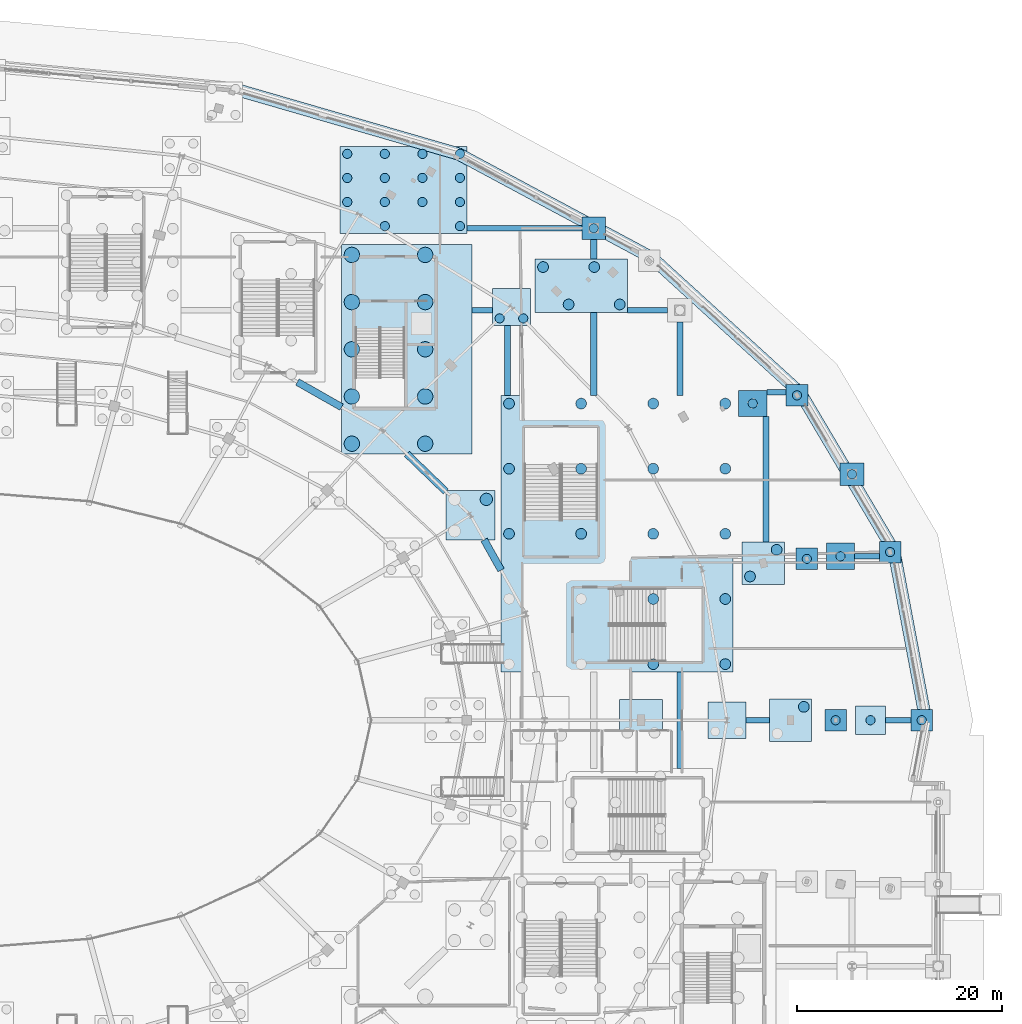
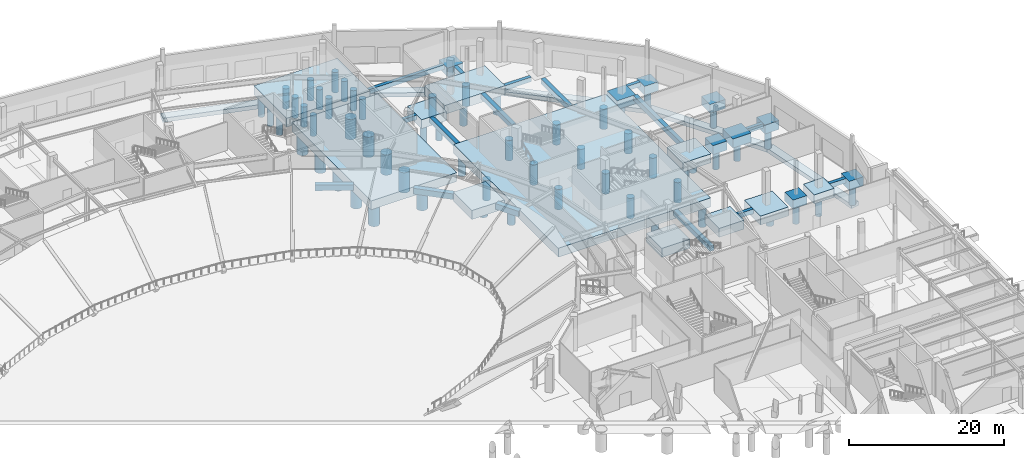
# One storey, part 8 of 93: 60 piles, 41 footings.
"""IFC4 building model written with IfcOpenShell, lengths in metres."""

from ifc_helpers import new_model, si_unit, direction, frame, origin, origin_2d, place, context, subcontext, project, spatial, polyline, rectangle, circle, outline, extrude, material, material_profile, profile_set, type_object, element, save


model = new_model("IFC4")

# Units and contexts
model_context = context("Model", 3, precision=1e-05, world=origin(), true_north=direction((0.0, 1.0)))
body_context = subcontext(model_context, "Body", "Model", "MODEL_VIEW")
ifc_project = project(units=[si_unit("LENGTHUNIT", "METRE"), si_unit("AREAUNIT", "SQUARE_METRE"), si_unit("VOLUMEUNIT", "CUBIC_METRE"), si_unit("PLANEANGLEUNIT", "RADIAN"), si_unit("MASSUNIT", "GRAM", prefix="KILO")], contexts=[model_context])

# Site, building, storey
site_placement = place(None, origin())
site = spatial("IfcSite", under=ifc_project, at=site_placement, CompositionType="ELEMENT")
building_placement = place(site_placement, origin())
building = spatial("IfcBuilding", under=site, at=building_placement, Name="Kalgoora Escarpment Arena", CompositionType="ELEMENT")
storey_placement = place(building_placement, origin())
storey = spatial("IfcBuildingStorey", under=building, at=storey_placement, Name="L00", CompositionType="ELEMENT", Elevation=0.0)

# Footings
ifc_material_1 = material(Name="Concrete N40 (fc' 40 MPa)", Category="concrete")
ifc_material_profile_1 = material_profile(ifc_material_1, rectangle(XDim=0.5, YDim=0.699951171875, at=origin_2d()))
ifc_profile_set_1 = profile_set([ifc_material_profile_1], Name="Concrete N40 (fc' 40 MPa)")
footing_type_1 = type_object("IfcFootingType", Name="FTG-GB700x500", PredefinedType="FOOTING_BEAM", material=ifc_profile_set_1)
footing_1_placement = place(storey_placement, frame((166.050048828125, 64.0, -0.35009765625), z_axis=(1.0, 0.0, 0.0), x_axis=(0.0, 1.0, 0.0)))
element("IfcFooting", 1, at=footing_1_placement, inside=storey, type_object=footing_type_1, Name="Ground tie beam GB-102", PredefinedType="FOOTING_BEAM", context=body_context, shape_type="SweptSolid", body=[
    extrude(rectangle(XDim=0.5, YDim=0.699951171875, at=origin_2d()), origin(), (0.0, 0.0, 1.0), 2.280029296875),
])
footing_2_placement = place(storey_placement, frame((179.679931640625, 64.0, -0.35009765625), z_axis=(1.0, 0.0, 0.0), x_axis=(0.0, 1.0, 0.0)))
element("IfcFooting", 2, at=footing_2_placement, inside=storey, type_object=footing_type_1, Name="Ground tie beam GB-103", PredefinedType="FOOTING_BEAM", context=body_context, shape_type="SweptSolid", body=[
    extrude(rectangle(XDim=0.5, YDim=0.699951171875, at=origin_2d()), origin(), (0.0, 0.0, 1.0), 2.469970703125),
])
footing_3_placement = place(storey_placement, frame((176.639892578125, 80.0, -0.35009765625), z_axis=(1.0, 0.0, 0.0), x_axis=(0.0, 1.0, 0.0)))
element("IfcFooting", 3, at=footing_3_placement, inside=storey, type_object=footing_type_1, Name="Ground tie beam GB-108", PredefinedType="FOOTING_BEAM", context=body_context, shape_type="SweptSolid", body=[
    extrude(rectangle(XDim=0.5, YDim=0.699951171875, at=origin_2d()), origin(), (0.0, 0.0, 1.0), 2.420166015625),
])
footing_4_placement = place(storey_placement, frame((168.110107421875, 96.0, -0.35009765625), z_axis=(1.0, 0.0, 0.0), x_axis=(0.0, 1.0, 0.0)))
element("IfcFooting", 4, at=footing_4_placement, inside=storey, type_object=footing_type_1, Name="Ground tie beam GB-113", PredefinedType="FOOTING_BEAM", context=body_context, shape_type="SweptSolid", body=[
    extrude(rectangle(XDim=0.5, YDim=0.699951171875, at=origin_2d()), origin(), (0.0, 0.0, 1.0), 1.869873046875),
])
footing_5_placement = place(storey_placement, frame((139.330078125, 104.0, -0.35009765625), z_axis=(1.0, 0.0, 0.0), x_axis=(0.0, 1.0, 0.0)))
element("IfcFooting", 5, at=footing_5_placement, inside=storey, type_object=footing_type_1, Name="Ground tie beam GB-118", PredefinedType="FOOTING_BEAM", context=body_context, shape_type="SweptSolid", body=[
    extrude(rectangle(XDim=0.5, YDim=0.699951171875, at=origin_2d()), origin(), (0.0, 0.0, 1.0), 1.989990234375),
])
footing_6_placement = place(storey_placement, frame((154.510009765625, 104.0, -0.35009765625), z_axis=(1.0, 0.0, 0.0), x_axis=(0.0, 1.0, 0.0)))
element("IfcFooting", 6, at=footing_6_placement, inside=storey, type_object=footing_type_1, Name="Ground tie beam GB-119", PredefinedType="FOOTING_BEAM", context=body_context, shape_type="SweptSolid", body=[
    extrude(rectangle(XDim=0.5, YDim=0.699951171875, at=origin_2d()), origin(), (0.0, 0.0, 1.0), 3.89990234375),
])
footing_7_placement = place(storey_placement, frame((138.85009765625, 112.0, -0.35009765625), z_axis=(1.0, 0.0, 0.0), x_axis=(0.0, 1.0, 0.0)))
element("IfcFooting", 7, at=footing_7_placement, inside=storey, type_object=footing_type_1, Name="Ground tie beam GB-123", PredefinedType="FOOTING_BEAM", context=body_context, shape_type="SweptSolid", body=[
    extrude(rectangle(XDim=0.5, YDim=0.699951171875, at=origin_2d()), origin(), (0.0, 0.0, 1.0), 11.199951171875),
])
ifc_material_2 = material(Name="Concrete N40 (fc' 40 MPa)", Category="concrete")
ifc_material_profile_2 = material_profile(ifc_material_2, rectangle(XDim=0.60009765625, YDim=0.800048828125, at=origin_2d()))
ifc_profile_set_2 = profile_set([ifc_material_profile_2], Name="Concrete N40 (fc' 40 MPa)")
footing_type_2 = type_object("IfcFootingType", Name="FTG-GB800x600", PredefinedType="FOOTING_BEAM", material=ifc_profile_set_2)
footing_8_placement = place(storey_placement, frame((142.800048828125, 95.669921875, -0.39990234375), z_axis=(0.0, 1.0, 0.0), x_axis=(-1.0, 0.0, 0.0)))
element("IfcFooting", 8, at=footing_8_placement, inside=storey, type_object=footing_type_2, Name="Ground tie beam GB-048", PredefinedType="FOOTING_BEAM", context=body_context, shape_type="SweptSolid", body=[
    extrude(rectangle(XDim=0.60009765625, YDim=0.800048828125, at=origin_2d()), origin(), (0.0, 0.0, 1.0), 6.840087890625),
])
footing_9_placement = place(storey_placement, frame((151.199951171875, 95.669921875, -0.39990234375), z_axis=(0.0, 1.0, 0.0), x_axis=(-1.0, 0.0, 0.0)))
element("IfcFooting", 9, at=footing_9_placement, inside=storey, type_object=footing_type_2, Name="Ground tie beam GB-053", PredefinedType="FOOTING_BEAM", context=body_context, shape_type="SweptSolid", body=[
    extrude(rectangle(XDim=0.60009765625, YDim=0.800048828125, at=origin_2d()), origin(), (0.0, 0.0, 1.0), 8.1201171875),
])
footing_10_placement = place(storey_placement, frame((151.199951171875, 108.989990234375, -0.39990234375), z_axis=(0.0, 1.0, 0.0), x_axis=(-1.0, 0.0, 0.0)))
element("IfcFooting", 10, at=footing_10_placement, inside=storey, type_object=footing_type_2, Name="Ground tie beam GB-054", PredefinedType="FOOTING_BEAM", context=body_context, shape_type="SweptSolid", body=[
    extrude(rectangle(XDim=0.60009765625, YDim=0.800048828125, at=origin_2d()), origin(), (0.0, 0.0, 1.0), 1.909912109375),
])
footing_11_placement = place(storey_placement, frame((159.60009765625, 59.300048828125, -0.39990234375), z_axis=(0.0, 1.0, 0.0), x_axis=(-1.0, 0.0, 0.0)))
element("IfcFooting", 11, at=footing_11_placement, inside=storey, type_object=footing_type_2, Name="Ground tie beam GB-057", PredefinedType="FOOTING_BEAM", context=body_context, shape_type="SweptSolid", body=[
    extrude(rectangle(XDim=0.60009765625, YDim=0.800048828125, at=origin_2d()), origin(), (0.0, 0.0, 1.0), 9.39990234375),
])
footing_12_placement = place(storey_placement, frame((159.60009765625, 95.669921875, -0.39990234375), z_axis=(0.0, 1.0, 0.0), x_axis=(-1.0, 0.0, 0.0)))
element("IfcFooting", 12, at=footing_12_placement, inside=storey, type_object=footing_type_2, Name="Ground tie beam GB-058", PredefinedType="FOOTING_BEAM", context=body_context, shape_type="SweptSolid", body=[
    extrude(rectangle(XDim=0.60009765625, YDim=0.800048828125, at=origin_2d()), origin(), (0.0, 0.0, 1.0), 7.190185546875),
])
footing_13_placement = place(storey_placement, frame((168.0, 81.39990234375, -0.39990234375), z_axis=(0.0, 1.0, 0.0), x_axis=(-1.0, 0.0, 0.0)))
element("IfcFooting", 13, at=footing_13_placement, inside=storey, type_object=footing_type_2, Name="Ground tie beam GB-061", PredefinedType="FOOTING_BEAM", context=body_context, shape_type="SweptSolid", body=[
    extrude(rectangle(XDim=0.60009765625, YDim=0.800048828125, at=origin_2d()), origin(), (0.0, 0.0, 1.0), 12.210205078125),
])
ifc_material_3 = material(Name="Concrete N40 (fc' 40 MPa)", Category="concrete")
ifc_material_profile_3 = material_profile(ifc_material_3, rectangle(XDim=0.699951171875, YDim=0.89990234375, at=origin_2d()))
ifc_profile_set_3 = profile_set([ifc_material_profile_3], Name="Concrete N40 (fc' 40 MPa)")
footing_type_3 = type_object("IfcFootingType", Name="FTG-GB900x700", PredefinedType="FOOTING_BEAM", material=ifc_profile_set_3)
footing_14_placement = place(storey_placement, frame((142.159912109375, 78.644775390625, -0.449951171875), z_axis=(-0.488010427247, 0.872837798733, 0.0), x_axis=(-0.872837798733, -0.488010427247, 0.0)))
element("IfcFooting", 14, at=footing_14_placement, inside=storey, type_object=footing_type_3, Name="Ground tie beam GB-002", PredefinedType="FOOTING_BEAM", context=body_context, shape_type="SweptSolid", body=[
    extrude(rectangle(XDim=0.699951171875, YDim=0.89990234375, at=origin_2d()), origin(), (0.0, 0.0, 1.0), 3.385986328125),
])
footing_15_placement = place(storey_placement, frame((136.77001953125, 86.3125, -0.449951171875), z_axis=(-0.719479526, 0.694513651174, 0.0), x_axis=(-0.694513651174, -0.719479526, 0.0)))
element("IfcFooting", 15, at=footing_15_placement, inside=storey, type_object=footing_type_3, Name="Ground tie beam GB-003", PredefinedType="FOOTING_BEAM", context=body_context, shape_type="SweptSolid", body=[
    extrude(rectangle(XDim=0.699951171875, YDim=0.89990234375, at=origin_2d()), origin(), (0.0, 0.0, 1.0), 5.28076171875),
])
footing_16_placement = place(storey_placement, frame((126.60009765625, 94.548583984375, -0.449951171875), z_axis=(-0.86938256602, 0.494139609726, 0.0), x_axis=(-0.494139609726, -0.86938256602, 0.0)))
element("IfcFooting", 16, at=footing_16_placement, inside=storey, type_object=footing_type_3, Name="Ground tie beam GB-004", PredefinedType="FOOTING_BEAM", context=body_context, shape_type="SweptSolid", body=[
    extrude(rectangle(XDim=0.699951171875, YDim=0.89990234375, at=origin_2d()), origin(), (0.0, 0.0, 1.0), 4.9609375),
])
ifc_material_4 = material(Name="Concrete N40 (fc' 40 MPa)", Category="concrete")
footing_type_4 = type_object("IfcFootingType", Name="FTG-PC-1240x845", PredefinedType="PILE_CAP", material=ifc_material_4)
footing_17_placement = place(storey_placement, frame((132.64990234375, 115.735107421875, -1.39990234375), z_axis=(0.0, 0.0, 1.0), x_axis=(1.0, 0.0, 0.0)))
element("IfcFooting", 17, at=footing_17_placement, inside=storey, type_object=footing_type_4, Name="Pile cap FND-COL-RCONC2-R05", PredefinedType="PILE_CAP", context=body_context, shape_type="SweptSolid", body=[
    extrude(rectangle(XDim=12.39990234375, YDim=8.449951171875, at=origin_2d()), origin(), (0.0, 0.0, 1.0), 1.39990234375),
])
ifc_material_5 = material(Name="Concrete N40 (fc' 40 MPa)", Category="concrete")
footing_type_5 = type_object("IfcFootingType", Name="FTG-PC-1273x2042", PredefinedType="PILE_CAP", material=ifc_material_5)
footing_18_placement = place(storey_placement, frame((132.965087890625, 100.18994140625, -1.39990234375), z_axis=(0.0, 0.0, 1.0), x_axis=(1.0, 0.0, 0.0)))
element("IfcFooting", 18, at=footing_18_placement, inside=storey, type_object=footing_type_5, Name="Pile cap FND-RAFT-C4", PredefinedType="PILE_CAP", context=body_context, shape_type="SweptSolid", body=[
    extrude(rectangle(XDim=12.72998046875, YDim=20.419921875, at=origin_2d()), origin(), (0.0, 0.0, 1.0), 1.39990234375),
])
ifc_material_6 = material(Name="Concrete N40 (fc' 40 MPa)", Category="concrete")
footing_type_6 = type_object("IfcFootingType", Name="FTG-PC-210x210", PredefinedType="PILE_CAP", material=ifc_material_6)
for number, where, z_axis, x_axis, name in (
    (19, (183.199951171875, 64.0, -1.39990234375), (0.0, 0.0, 1.0), (1.0, 0.0, 0.0), "Pile cap FND-PIL-022"),
    (20, (180.110107421875, 80.409912109375, -1.39990234375), (0.0, 0.0, 1.0), (1.0, 0.0, 0.0), "Pile cap FND-PIL-023"),
    (21, (174.800048828125, 64.0, -1.39990234375), (0.0, 0.0, 1.0), (1.0, 0.0, 0.0), "Pile cap FND-PIL-046"),
    (22, (171.989990234375, 79.739990234375, -1.39990234375), (0.0, 0.0, 1.0), (1.0, 0.0, 0.0), "Pile cap FND-PIL-047"),
):
    element("IfcFooting", number, at=place(storey_placement, frame(where, z_axis=z_axis, x_axis=x_axis)), inside=storey, type_object=footing_type_6, Name=name, PredefinedType="PILE_CAP", context=body_context, shape_type="SweptSolid", body=[
        extrude(rectangle(XDim=2.10009765625, YDim=2.10009765625, at=origin_2d()), origin(), (0.0, 0.0, 1.0), 1.39990234375),
    ])
ifc_material_7 = material(Name="Concrete N40 (fc' 40 MPa)", Category="concrete")
footing_type_7 = type_object("IfcFootingType", Name="FTG-PC-211x210", PredefinedType="PILE_CAP", material=ifc_material_7)
footing_19_placement = place(storey_placement, frame((171.034912109375, 95.699951171875, -1.39990234375), z_axis=(0.0, 0.0, 1.0), x_axis=(1.0, 0.0, 0.0)))
element("IfcFooting", 23, at=footing_19_placement, inside=storey, type_object=footing_type_7, Name="Pile cap FND-PIL-024", PredefinedType="PILE_CAP", context=body_context, shape_type="SweptSolid", body=[
    extrude(rectangle(XDim=2.110107421875, YDim=2.10009765625, at=origin_2d()), origin(), (0.0, 0.0, 1.0), 1.39990234375),
])
ifc_material_8 = material(Name="Concrete N40 (fc' 40 MPa)", Category="concrete")
footing_type_8 = type_object("IfcFootingType", Name="FTG-PC-2265x2697", PredefinedType="PILE_CAP", material=ifc_material_8)
footing_20_placement = place(storey_placement, frame((153.485107421875, 82.18505859375, -1.39990234375), z_axis=(0.0, 0.0, 1.0), x_axis=(1.0, 0.0, 0.0)))
element("IfcFooting", 24, at=footing_20_placement, inside=storey, type_object=footing_type_8, Name="Pile cap FND-ST-ST21", PredefinedType="PILE_CAP", context=body_context, shape_type="SweptSolid", body=[
    extrude(rectangle(XDim=22.64990234375, YDim=26.969970703125, at=origin_2d()), origin(), (0.0, 0.0, 1.0), 1.39990234375),
])
ifc_material_9 = material(Name="Concrete N40 (fc' 40 MPa)", Category="concrete")
footing_type_9 = type_object("IfcFootingType", Name="FTG-PC-230x220", PredefinedType="PILE_CAP", material=ifc_material_9)
for number, where, z_axis, x_axis, name in (
    (25, (151.199951171875, 112.0, -1.39990234375), (0.0, 0.0, 1.0), (1.0, 0.0, 0.0), "Pile cap FND-COL-G19-Q"),
    (26, (176.39990234375, 88.0, -1.39990234375), (0.0, 0.0, 1.0), (1.0, 0.0, 0.0), "Pile cap FND-COL-G22-M"),
):
    element("IfcFooting", number, at=place(storey_placement, frame(where, z_axis=z_axis, x_axis=x_axis)), inside=storey, type_object=footing_type_9, Name=name, PredefinedType="PILE_CAP", context=body_context, shape_type="SweptSolid", body=[
        extrude(rectangle(XDim=2.300048828125, YDim=2.199951171875, at=origin_2d()), origin(), (0.0, 0.0, 1.0), 1.39990234375),
    ])
ifc_material_10 = material(Name="Concrete N40 (fc' 40 MPa)", Category="concrete")
footing_type_10 = type_object("IfcFootingType", Name="FTG-PC-272x259", PredefinedType="PILE_CAP", material=ifc_material_10)
footing_21_placement = place(storey_placement, frame((175.280029296875, 79.9951171875, -1.39990234375), z_axis=(0.0, 0.0, 1.0), x_axis=(1.0, 0.0, 0.0)))
element("IfcFooting", 27, at=footing_21_placement, inside=storey, type_object=footing_type_10, Name="Pile cap FND-COL-RBASE2-R02", PredefinedType="PILE_CAP", context=body_context, shape_type="SweptSolid", body=[
    extrude(rectangle(XDim=2.719970703125, YDim=2.590087890625, at=origin_2d()), origin(), (0.0, 0.0, 1.0), 1.39990234375),
])
ifc_material_11 = material(Name="Concrete N40 (fc' 40 MPa)", Category="concrete")
footing_type_11 = type_object("IfcFootingType", Name="FTG-PC-280x258", PredefinedType="PILE_CAP", material=ifc_material_11)
footing_22_placement = place(storey_placement, frame((166.7099609375, 94.89990234375, -1.39990234375), z_axis=(0.0, 0.0, 1.0), x_axis=(1.0, 0.0, 0.0)))
element("IfcFooting", 28, at=footing_22_placement, inside=storey, type_object=footing_type_11, Name="Pile cap FND-COL-RBASE2-R03", PredefinedType="PILE_CAP", context=body_context, shape_type="SweptSolid", body=[
    extrude(rectangle(XDim=2.800048828125, YDim=2.580078125, at=origin_2d()), origin(), (0.0, 0.0, 1.0), 1.39990234375),
])
ifc_material_12 = material(Name="Concrete N40 (fc' 40 MPa)", Category="concrete")
footing_type_12 = type_object("IfcFootingType", Name="FTG-PC-296x282", PredefinedType="PILE_CAP", material=ifc_material_12)
footing_23_placement = place(storey_placement, frame((178.199951171875, 64.0, -1.39990234375), z_axis=(0.0, 0.0, 1.0), x_axis=(1.0, 0.0, 0.0)))
element("IfcFooting", 29, at=footing_23_placement, inside=storey, type_object=footing_type_12, Name="Pile cap FND-COL-RBASE2-R01", PredefinedType="PILE_CAP", context=body_context, shape_type="SweptSolid", body=[
    extrude(rectangle(XDim=2.9599609375, YDim=2.820068359375, at=origin_2d()), origin(), (0.0, 0.0, 1.0), 1.39990234375),
])
ifc_material_13 = material(Name="Concrete N40 (fc' 40 MPa)", Category="concrete")
footing_type_13 = type_object("IfcFootingType", Name="FTG-PC-370x360", PredefinedType="PILE_CAP", material=ifc_material_13)
for number, where, z_axis, x_axis, name in (
    (30, (164.199951171875, 64.0, -1.39990234375), (0.0, 0.0, 1.0), (1.0, 0.0, 0.0), "Pile cap FND-COL-RCONC2-R01"),
    (31, (143.169921875, 104.31005859375, -1.39990234375), (0.0, 0.0, 1.0), (1.0, 0.0, 0.0), "Pile cap FND-COL-RCONC2-R04"),
):
    element("IfcFooting", number, at=place(storey_placement, frame(where, z_axis=z_axis, x_axis=x_axis)), inside=storey, type_object=footing_type_13, Name=name, PredefinedType="PILE_CAP", context=body_context, shape_type="SweptSolid", body=[
        extrude(rectangle(XDim=3.699951171875, YDim=3.60009765625, at=origin_2d()), origin(), (0.0, 0.0, 1.0), 1.39990234375),
    ])
ifc_material_14 = material(Name="Concrete N40 (fc' 40 MPa)", Category="concrete")
footing_type_14 = type_object("IfcFootingType", Name="FTG-PC-414x416", PredefinedType="PILE_CAP", material=ifc_material_14)
footing_24_placement = place(storey_placement, frame((170.39990234375, 64.0, -1.39990234375), z_axis=(0.0, 0.0, 1.0), x_axis=(1.0, 0.0, 0.0)))
element("IfcFooting", 32, at=footing_24_placement, inside=storey, type_object=footing_type_14, Name="Pile cap FND-COL-RBASE1-R01", PredefinedType="PILE_CAP", context=body_context, shape_type="SweptSolid", body=[
    extrude(rectangle(XDim=4.139892578125, YDim=4.159912109375, at=origin_2d()), origin(), (0.0, 0.0, 1.0), 1.39990234375),
])
ifc_material_15 = material(Name="Concrete N40 (fc' 40 MPa)", Category="concrete")
footing_type_15 = type_object("IfcFootingType", Name="FTG-PC-415x415", PredefinedType="PILE_CAP", material=ifc_material_15)
footing_25_placement = place(storey_placement, frame((167.7451171875, 79.324951171875, -1.39990234375), z_axis=(0.0, 0.0, 1.0), x_axis=(1.0, 0.0, 0.0)))
element("IfcFooting", 33, at=footing_25_placement, inside=storey, type_object=footing_type_15, Name="Pile cap FND-COL-RBASE1-R02", PredefinedType="PILE_CAP", context=body_context, shape_type="SweptSolid", body=[
    extrude(rectangle(XDim=4.14990234375, YDim=4.14990234375, at=origin_2d()), origin(), (0.0, 0.0, 1.0), 1.39990234375),
])
ifc_material_16 = material(Name="Concrete N40 (fc' 40 MPa)", Category="concrete")
footing_type_16 = type_object("IfcFootingType", Name="FTG-PC-420x400", PredefinedType="PILE_CAP", material=ifc_material_16)
footing_26_placement = place(storey_placement, frame((155.800048828125, 64.0, -1.39990234375), z_axis=(0.0, 0.0, 1.0), x_axis=(1.0, 0.0, 0.0)))
element("IfcFooting", 34, at=footing_26_placement, inside=storey, type_object=footing_type_16, Name="Pile cap FND-COL-RCONC1-R01", PredefinedType="PILE_CAP", context=body_context, shape_type="SweptSolid", body=[
    extrude(rectangle(XDim=4.199951171875, YDim=4.0, at=origin_2d()), origin(), (0.0, 0.0, 1.0), 1.39990234375),
])
ifc_material_17 = material(Name="Concrete N40 (fc' 40 MPa)", Category="concrete")
footing_type_17 = type_object("IfcFootingType", Name="FTG-PC-480x480", PredefinedType="PILE_CAP", material=ifc_material_17)
footing_27_placement = place(storey_placement, frame((139.169921875, 84.0, -1.39990234375), z_axis=(0.0, 0.0, 1.0), x_axis=(1.0, 0.0, 0.0)))
element("IfcFooting", 35, at=footing_27_placement, inside=storey, type_object=footing_type_17, Name="Pile cap FND-COL-RMAIN-R03", PredefinedType="PILE_CAP", context=body_context, shape_type="SweptSolid", body=[
    extrude(rectangle(XDim=4.800048828125, YDim=4.800048828125, at=origin_2d()), origin(), (0.0, 0.0, 1.0), 1.39990234375),
])
ifc_material_18 = material(Name="Concrete N40 (fc' 40 MPa)", Category="concrete")
footing_type_18 = type_object("IfcFootingType", Name="FTG-PC-903x520", PredefinedType="PILE_CAP", material=ifc_material_18)
footing_28_placement = place(storey_placement, frame((149.9951171875, 106.389892578125, -1.39990234375), z_axis=(0.0, 0.0, 1.0), x_axis=(1.0, 0.0, 0.0)))
element("IfcFooting", 36, at=footing_28_placement, inside=storey, type_object=footing_type_18, Name="Pile cap FND-COL-RBASE1-R04", PredefinedType="PILE_CAP", context=body_context, shape_type="SweptSolid", body=[
    extrude(rectangle(XDim=9.030029296875, YDim=5.199951171875, at=origin_2d()), origin(), (0.0, 0.0, 1.0), 1.39990234375),
])
ifc_material_19 = material(Name="Concrete N40 (fc' 40 MPa)", Category="concrete")
footing_type_19 = type_object("IfcFootingType", Name="FTG-STRIP-1200", PredefinedType="STRIP_FOOTING", material=ifc_material_19)
footing_29_placement = place(storey_placement, frame((0.0, 0.0, -5.14990234375)))
element("IfcFooting", 37, at=footing_29_placement, inside=storey, type_object=footing_type_19, Name="Escarpment retaining strip footing SF-16", PredefinedType="STRIP_FOOTING", context=body_context, shape_type="SweptSolid", body=[
    extrude(outline(polyline([(115.83740234375, 125.0498046875), (137.8330078125, 118.676025390625), (138.1669921875, 119.82861328125), (116.17138671875, 126.202392578125), (115.83740234375, 125.0498046875)])), origin(), (0.0, 0.0, 1.0), 0.64990234375),
])
footing_30_placement = place(storey_placement, frame((0.0, 0.0, -5.14990234375)))
element("IfcFooting", 38, at=footing_30_placement, inside=storey, type_object=footing_type_19, Name="Escarpment retaining strip footing SF-17", PredefinedType="STRIP_FOOTING", context=body_context, shape_type="SweptSolid", body=[
    extrude(outline(polyline([(137.71630859375, 118.7236328125), (156.604248046875, 108.584716796875), (157.171875, 109.64208984375), (138.28369140625, 119.781005859375), (137.71630859375, 118.7236328125)])), origin(), (0.0, 0.0, 1.0), 0.64990234375),
])
footing_31_placement = place(storey_placement, frame((0.0, 0.0, -5.14990234375)))
element("IfcFooting", 39, at=footing_31_placement, inside=storey, type_object=footing_type_19, Name="Escarpment retaining strip footing SF-18", PredefinedType="STRIP_FOOTING", context=body_context, shape_type="SweptSolid", body=[
    extrude(outline(polyline([(156.48388671875, 108.669921875), (170.977294921875, 95.45654296875), (171.78564453125, 96.343505859375), (157.292236328125, 109.556884765625), (156.48388671875, 108.669921875)])), origin(), (0.0, 0.0, 1.0), 0.64990234375),
])
footing_32_placement = place(storey_placement, frame((0.0, 0.0, -5.14990234375)))
element("IfcFooting", 40, at=footing_32_placement, inside=storey, type_object=footing_type_19, Name="Escarpment retaining strip footing SF-19", PredefinedType="STRIP_FOOTING", context=body_context, shape_type="SweptSolid", body=[
    extrude(outline(polyline([(170.865234375, 95.59423828125), (179.97607421875, 80.20703125), (181.0087890625, 80.818359375), (171.897705078125, 96.205810546875), (170.865234375, 95.59423828125)])), origin(), (0.0, 0.0, 1.0), 0.64990234375),
])
footing_33_placement = place(storey_placement, frame((0.0, 0.0, -5.14990234375)))
element("IfcFooting", 41, at=footing_33_placement, inside=storey, type_object=footing_type_19, Name="Escarpment retaining strip footing SF-20", PredefinedType="STRIP_FOOTING", context=body_context, shape_type="SweptSolid", body=[
    extrude(outline(polyline([(179.90283203125, 80.401611328125), (183.010498046875, 63.888916015625), (184.189697265625, 64.111083984375), (181.08203125, 80.623779296875), (179.90283203125, 80.401611328125)])), origin(), (0.0, 0.0, 1.0), 0.64990234375),
])

# Piles
ifc_material_20 = material(Name="Concrete N50 (fc' 50 MPa)", Category="concrete")
ifc_material_profile_4 = material_profile(ifc_material_20, circle(Radius=0.52490234375, at=origin_2d()))
ifc_profile_set_4 = profile_set([ifc_material_profile_4], Name="Concrete N50 (fc' 50 MPa)")
pile_type_1 = type_object("IfcPileType", Name="PIL-PILE-1050", PredefinedType="BORED", material=ifc_profile_set_4)
for number, where, z_axis, x_axis, name in (
    (42, (142.93505859375, 82.18505859375, -1.300048828125), (0.0, 0.0, -1.0), (1.0, 0.0, 0.0), "Bored pile FND-ST-ST21 P03"),
    (43, (142.93505859375, 88.5400390625, -1.300048828125), (0.0, 0.0, -1.0), (1.0, 0.0, 0.0), "Bored pile FND-ST-ST21 P04"),
    (44, (142.93505859375, 94.89501953125, -1.300048828125), (0.0, 0.0, -1.0), (1.0, 0.0, 0.0), "Bored pile FND-ST-ST21 P05"),
    (45, (149.96826171875, 82.18505859375, -1.300048828125), (0.0, 0.0, -1.0), (1.0, 0.0, 0.0), "Bored pile FND-ST-ST21 P08"),
    (46, (149.96826171875, 88.5400390625, -1.300048828125), (0.0, 0.0, -1.0), (1.0, 0.0, 0.0), "Bored pile FND-ST-ST21 P09"),
    (47, (149.96826171875, 94.89501953125, -1.300048828125), (0.0, 0.0, -1.0), (1.0, 0.0, 0.0), "Bored pile FND-ST-ST21 P10"),
    (48, (157.001708984375, 69.47509765625, -1.300048828125), (0.0, 0.0, -1.0), (1.0, 0.0, 0.0), "Bored pile FND-ST-ST21 P11"),
    (49, (157.001708984375, 75.830078125, -1.300048828125), (0.0, 0.0, -1.0), (1.0, 0.0, 0.0), "Bored pile FND-ST-ST21 P12"),
    (50, (157.001708984375, 82.18505859375, -1.300048828125), (0.0, 0.0, -1.0), (1.0, 0.0, 0.0), "Bored pile FND-ST-ST21 P13"),
    (51, (157.001708984375, 88.5400390625, -1.300048828125), (0.0, 0.0, -1.0), (1.0, 0.0, 0.0), "Bored pile FND-ST-ST21 P14"),
    (52, (157.001708984375, 94.89501953125, -1.300048828125), (0.0, 0.0, -1.0), (1.0, 0.0, 0.0), "Bored pile FND-ST-ST21 P15"),
    (53, (164.034912109375, 69.47509765625, -1.300048828125), (0.0, 0.0, -1.0), (1.0, 0.0, 0.0), "Bored pile FND-ST-ST21 P16"),
    (54, (164.034912109375, 75.830078125, -1.300048828125), (0.0, 0.0, -1.0), (1.0, 0.0, 0.0), "Bored pile FND-ST-ST21 P17"),
    (55, (164.034912109375, 82.18505859375, -1.300048828125), (0.0, 0.0, -1.0), (1.0, 0.0, 0.0), "Bored pile FND-ST-ST21 P18"),
    (56, (164.034912109375, 88.5400390625, -1.300048828125), (0.0, 0.0, -1.0), (1.0, 0.0, 0.0), "Bored pile FND-ST-ST21 P19"),
    (57, (164.034912109375, 94.89501953125, -1.300048828125), (0.0, 0.0, -1.0), (1.0, 0.0, 0.0), "Bored pile FND-ST-ST21 P20"),
    (58, (171.695068359375, 65.304931640625, -1.300048828125), (0.0, 0.0, -1.0), (1.0, 0.0, 0.0), "Bored pile FND-COL-RBASE1-R01 P02"),
    (59, (166.445068359375, 78.02490234375, -1.300048828125), (0.0, 0.0, -1.0), (1.0, 0.0, 0.0), "Bored pile FND-COL-RBASE1-R02 P01"),
    (60, (169.044921875, 80.625, -1.300048828125), (0.0, 0.0, -1.0), (1.0, 0.0, 0.0), "Bored pile FND-COL-RBASE1-R02 P02"),
    (61, (146.2548828125, 108.215087890625, -1.300048828125), (0.0, 0.0, -1.0), (1.0, 0.0, 0.0), "Bored pile FND-COL-RBASE1-R04 P01"),
    (62, (148.748291015625, 104.56494140625, -1.300048828125), (0.0, 0.0, -1.0), (1.0, 0.0, 0.0), "Bored pile FND-COL-RBASE1-R04 P02"),
    (63, (151.24169921875, 108.215087890625, -1.300048828125), (0.0, 0.0, -1.0), (1.0, 0.0, 0.0), "Bored pile FND-COL-RBASE1-R04 P03"),
    (64, (153.735107421875, 104.56494140625, -1.300048828125), (0.0, 0.0, -1.0), (1.0, 0.0, 0.0), "Bored pile FND-COL-RBASE1-R04 P04"),
):
    element("IfcPile", number, at=place(storey_placement, frame(where, z_axis=z_axis, x_axis=x_axis)), inside=storey, type_object=pile_type_1, Name=name, PredefinedType="BORED", context=body_context, shape_type="SweptSolid", body=[
        extrude(circle(Radius=0.52490234375, at=origin_2d()), origin(), (0.0, 0.0, 1.0), 3.199951171875),
    ])
ifc_material_21 = material(Name="Concrete N50 (fc' 50 MPa)", Category="concrete")
ifc_material_profile_5 = material_profile(ifc_material_21, circle(Radius=0.60009765625, at=origin_2d()))
ifc_profile_set_5 = profile_set([ifc_material_profile_5], Name="Concrete N50 (fc' 50 MPa)")
pile_type_2 = type_object("IfcPileType", Name="PIL-PILE-1200", PredefinedType="BORED", material=ifc_profile_set_5)
pile_placement = place(storey_placement, frame((140.719970703125, 85.550048828125, -1.300048828125), z_axis=(0.0, 0.0, -1.0), x_axis=(1.0, 0.0, 0.0)))
element("IfcPile", 65, at=pile_placement, inside=storey, type_object=pile_type_2, Name="Bored pile FND-COL-RMAIN-R03 P03", PredefinedType="BORED", context=body_context, shape_type="SweptSolid", body=[
    extrude(circle(Radius=0.60009765625, at=origin_2d()), origin(), (0.0, 0.0, 1.0), 3.199951171875),
])
ifc_material_22 = material(Name="Concrete N50 (fc' 50 MPa)", Category="concrete")
ifc_material_profile_6 = material_profile(ifc_material_22, circle(Radius=0.75, at=origin_2d()))
ifc_profile_set_6 = profile_set([ifc_material_profile_6], Name="Concrete N50 (fc' 50 MPa)")
pile_type_3 = type_object("IfcPileType", Name="PIL-PILE-1500", PredefinedType="BORED", material=ifc_profile_set_6)
for number, where, z_axis, x_axis, name in (
    (66, (127.60009765625, 90.97998046875, -1.300048828125), (0.0, 0.0, -1.0), (1.0, 0.0, 0.0), "Bored pile FND-RAFT-C4 P01"),
    (67, (127.60009765625, 95.5849609375, -1.300048828125), (0.0, 0.0, -1.0), (1.0, 0.0, 0.0), "Bored pile FND-RAFT-C4 P02"),
    (68, (127.60009765625, 100.18994140625, -1.300048828125), (0.0, 0.0, -1.0), (1.0, 0.0, 0.0), "Bored pile FND-RAFT-C4 P03"),
    (69, (127.60009765625, 104.794921875, -1.300048828125), (0.0, 0.0, -1.0), (1.0, 0.0, 0.0), "Bored pile FND-RAFT-C4 P04"),
    (70, (127.60009765625, 109.39990234375, -1.300048828125), (0.0, 0.0, -1.0), (1.0, 0.0, 0.0), "Bored pile FND-RAFT-C4 P05"),
    (71, (134.75341796875, 90.97998046875, -1.300048828125), (0.0, 0.0, -1.0), (1.0, 0.0, 0.0), "Bored pile FND-RAFT-C4 P06"),
    (72, (134.75341796875, 95.5849609375, -1.300048828125), (0.0, 0.0, -1.0), (1.0, 0.0, 0.0), "Bored pile FND-RAFT-C4 P07"),
    (73, (134.75341796875, 100.18994140625, -1.300048828125), (0.0, 0.0, -1.0), (1.0, 0.0, 0.0), "Bored pile FND-RAFT-C4 P08"),
    (74, (134.75341796875, 104.794921875, -1.300048828125), (0.0, 0.0, -1.0), (1.0, 0.0, 0.0), "Bored pile FND-RAFT-C4 P09"),
    (75, (134.75341796875, 109.39990234375, -1.300048828125), (0.0, 0.0, -1.0), (1.0, 0.0, 0.0), "Bored pile FND-RAFT-C4 P10"),
):
    element("IfcPile", number, at=place(storey_placement, frame(where, z_axis=z_axis, x_axis=x_axis)), inside=storey, type_object=pile_type_3, Name=name, PredefinedType="BORED", context=body_context, shape_type="SweptSolid", body=[
        extrude(circle(Radius=0.75, at=origin_2d()), origin(), (0.0, 0.0, 1.0), 3.199951171875),
    ])
ifc_material_23 = material(Name="Concrete N50 (fc' 50 MPa)", Category="concrete")
ifc_material_profile_7 = material_profile(ifc_material_23, circle(Radius=0.449951171875, at=origin_2d()))
ifc_profile_set_7 = profile_set([ifc_material_profile_7], Name="Concrete N50 (fc' 50 MPa)")
pile_type_4 = type_object("IfcPileType", Name="PIL-PILE-900", PredefinedType="BORED", material=ifc_profile_set_7)
for number, where, z_axis, x_axis, name in (
    (76, (142.02001953125, 103.2099609375, -1.300048828125), (0.0, 0.0, -1.0), (1.0, 0.0, 0.0), "Bored pile FND-COL-RCONC2-R04 P01"),
    (77, (144.320068359375, 103.2099609375, -1.300048828125), (0.0, 0.0, -1.0), (1.0, 0.0, 0.0), "Bored pile FND-COL-RCONC2-R04 P02"),
    (78, (127.14990234375, 114.56005859375, -1.300048828125), (0.0, 0.0, -1.0), (1.0, 0.0, 0.0), "Bored pile FND-COL-RCONC2-R05 P01"),
    (79, (127.14990234375, 116.909912109375, -1.300048828125), (0.0, 0.0, -1.0), (1.0, 0.0, 0.0), "Bored pile FND-COL-RCONC2-R05 P02"),
    (80, (127.14990234375, 119.260009765625, -1.300048828125), (0.0, 0.0, -1.0), (1.0, 0.0, 0.0), "Bored pile FND-COL-RCONC2-R05 P03"),
    (81, (130.816650390625, 112.2099609375, -1.300048828125), (0.0, 0.0, -1.0), (1.0, 0.0, 0.0), "Bored pile FND-COL-RCONC2-R05 P04"),
    (82, (130.816650390625, 114.56005859375, -1.300048828125), (0.0, 0.0, -1.0), (1.0, 0.0, 0.0), "Bored pile FND-COL-RCONC2-R05 P05"),
    (83, (130.816650390625, 116.909912109375, -1.300048828125), (0.0, 0.0, -1.0), (1.0, 0.0, 0.0), "Bored pile FND-COL-RCONC2-R05 P06"),
    (84, (130.816650390625, 119.260009765625, -1.300048828125), (0.0, 0.0, -1.0), (1.0, 0.0, 0.0), "Bored pile FND-COL-RCONC2-R05 P07"),
    (85, (134.4833984375, 114.56005859375, -1.300048828125), (0.0, 0.0, -1.0), (1.0, 0.0, 0.0), "Bored pile FND-COL-RCONC2-R05 P08"),
    (86, (134.4833984375, 116.909912109375, -1.300048828125), (0.0, 0.0, -1.0), (1.0, 0.0, 0.0), "Bored pile FND-COL-RCONC2-R05 P09"),
    (87, (134.4833984375, 119.260009765625, -1.300048828125), (0.0, 0.0, -1.0), (1.0, 0.0, 0.0), "Bored pile FND-COL-RCONC2-R05 P10"),
    (88, (138.14990234375, 112.2099609375, -1.300048828125), (0.0, 0.0, -1.0), (1.0, 0.0, 0.0), "Bored pile FND-COL-RCONC2-R05 P11"),
    (89, (138.14990234375, 114.56005859375, -1.300048828125), (0.0, 0.0, -1.0), (1.0, 0.0, 0.0), "Bored pile FND-COL-RCONC2-R05 P12"),
    (90, (138.14990234375, 116.909912109375, -1.300048828125), (0.0, 0.0, -1.0), (1.0, 0.0, 0.0), "Bored pile FND-COL-RCONC2-R05 P13"),
    (91, (138.14990234375, 119.260009765625, -1.300048828125), (0.0, 0.0, -1.0), (1.0, 0.0, 0.0), "Bored pile FND-COL-RCONC2-R05 P14"),
    (92, (178.199951171875, 64.0, -1.300048828125), (0.0, 0.0, -1.0), (1.0, 0.0, 0.0), "Bored pile FND-COL-RBASE2-R01 P01"),
    (93, (175.280029296875, 79.9951171875, -1.300048828125), (0.0, 0.0, -1.0), (1.0, 0.0, 0.0), "Bored pile FND-COL-RBASE2-R02 P01"),
    (94, (166.7099609375, 94.89990234375, -1.300048828125), (0.0, 0.0, -1.0), (1.0, 0.0, 0.0), "Bored pile FND-COL-RBASE2-R03 P01"),
    (95, (151.199951171875, 112.0, -1.300048828125), (0.0, 0.0, -1.0), (1.0, 0.0, 0.0), "Bored pile FND-COL-G19-Q P01"),
    (96, (176.39990234375, 88.0, -1.300048828125), (0.0, 0.0, -1.0), (1.0, 0.0, 0.0), "Bored pile FND-COL-G22-M P01"),
    (97, (183.199951171875, 64.0, -1.300048828125), (0.0, 0.0, -1.0), (1.0, 0.0, 0.0), "Bored pile FND-PIL-022 P01"),
    (98, (180.110107421875, 80.409912109375, -1.300048828125), (0.0, 0.0, -1.0), (1.0, 0.0, 0.0), "Bored pile FND-PIL-023 P01"),
    (99, (171.034912109375, 95.699951171875, -1.300048828125), (0.0, 0.0, -1.0), (1.0, 0.0, 0.0), "Bored pile FND-PIL-024 P01"),
    (100, (174.800048828125, 64.0, -1.300048828125), (0.0, 0.0, -1.0), (1.0, 0.0, 0.0), "Bored pile FND-PIL-046 P01"),
    (101, (171.989990234375, 79.739990234375, -1.300048828125), (0.0, 0.0, -1.0), (1.0, 0.0, 0.0), "Bored pile FND-PIL-047 P01"),
):
    element("IfcPile", number, at=place(storey_placement, frame(where, z_axis=z_axis, x_axis=x_axis)), inside=storey, type_object=pile_type_4, Name=name, PredefinedType="BORED", context=body_context, shape_type="SweptSolid", body=[
        extrude(circle(Radius=0.449951171875, at=origin_2d()), origin(), (0.0, 0.0, 1.0), 3.199951171875),
    ])

save(model, "model.ifc")
